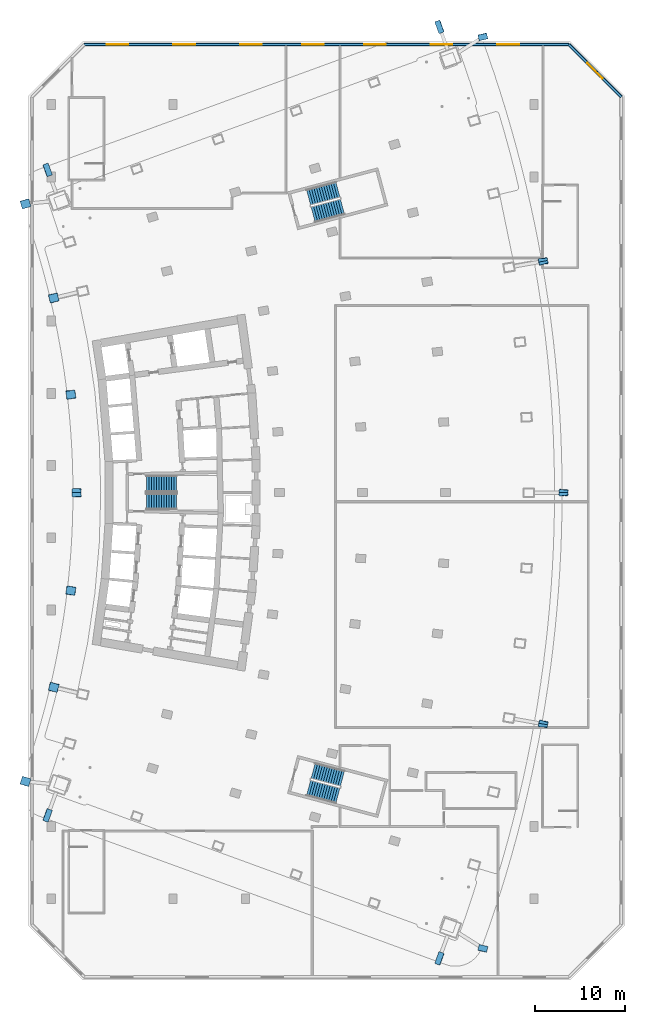
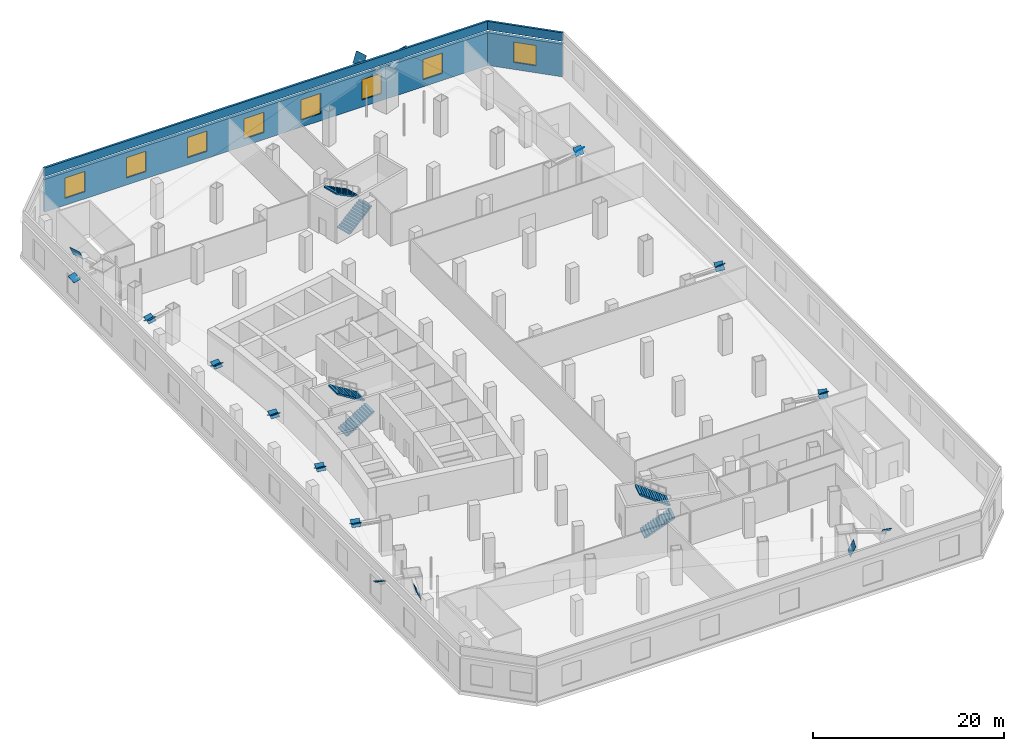
# One storey, part 18 of 19: 24 discrete accessories, 8 windows, 6 stair flights, 4 walls, 8 openings, 3 elements without a shape of their own.
"""IFC4 building model written with IfcOpenShell, lengths in metres."""

from ifc_helpers import new_model, si_unit, direction, frame, frame_2d, origin, origin_2d, place, context, subcontext, project, spatial, polyline, rectangle, outline, extrude, material, layer, layer_set, material_profile, profile_set, type_object, element, fill, aggregate, save


model = new_model("IFC4")

# Units and contexts
model_context = context("Model", 3, precision=1e-05, world=origin(), true_north=direction((0.0, 1.0)))
body_context = subcontext(model_context, "Body", "Model", "MODEL_VIEW")
ifc_project = project(units=[si_unit("LENGTHUNIT", "METRE"), si_unit("AREAUNIT", "SQUARE_METRE"), si_unit("VOLUMEUNIT", "CUBIC_METRE"), si_unit("PLANEANGLEUNIT", "RADIAN"), si_unit("MASSUNIT", "GRAM", prefix="KILO")], contexts=[model_context])

# Site, building, storey
site_placement = place(None, origin())
site = spatial("IfcSite", under=ifc_project, at=site_placement, CompositionType="ELEMENT")
building_placement = place(site_placement, origin())
building = spatial("IfcBuilding", under=site, at=building_placement, Name="Alderwake Tower", CompositionType="ELEMENT")
storey_placement = place(building_placement, frame((0.0, 0.0, 27.5)))
storey = spatial("IfcBuildingStorey", under=building, at=storey_placement, Name="L05", CompositionType="ELEMENT", Elevation=27.5)

# Wall, opening, window
ifc_material_1 = material(Name="Precast concrete C50/60 spandrel panel", Category="concrete")
ifc_layer_1 = layer(ifc_material_1, 0.35009765625)
ifc_layer_set_1 = layer_set([ifc_layer_1], Name="External wall EW4 Precast concrete C50/60 podium")
wall_type_1 = type_object("IfcWallType", Name="External wall EW4 Precast concrete C50/60 podium", PredefinedType="SOLIDWALL", material=ifc_layer_set_1)
wall_1_placement = place(storey_placement, frame((73.64990234375, 104.85498046875, 0.0), z_axis=(0.0, 0.0, 1.0), x_axis=(-0.707091913039, 0.707121649021, 0.0)))
wall_1 = element("IfcWall", 1, at=wall_1_placement, inside=storey, type_object=wall_type_1, Name="External wall 4", PredefinedType="SOLIDWALL", context=body_context, shape_type="SweptSolid", body=[
    extrude(rectangle(XDim=8.210205078125, YDim=0.35009765625, at=frame_2d((4.10498046875, 0.0))), origin(), (0.0, 0.0, 1.0), 4.179931640625),
])
opening_1_placement = place(wall_1_placement, frame((2.9052734375, 0.0, 0.89990234375)))
opening_1 = element("IfcOpeningElement", 2, at=opening_1_placement, cuts=wall_1, Name="Opening W6", PredefinedType="OPENING", context=body_context, shape_type="SweptSolid", body=[
    extrude(rectangle(XDim=2.39990234375, YDim=2.60009765625, at=frame_2d((1.199951171875, 1.300048828125))), frame((0.0, 0.18505859375, 0.0), z_axis=(0.0, -1.0, 0.0), x_axis=(1.0, 0.0, 0.0)), (0.0, 0.0, 1.0), 0.3701171875),
])
ifc_material_2 = material(Name="Bronze tinted glass in aluminium frame", Category="aluminium")
window_type = type_object("IfcWindowType", Name="Window W6 podium", PartitioningType="DOUBLE_PANEL_VERTICAL", PredefinedType="WINDOW", material=ifc_material_2)
window_1_placement = place(opening_1_placement, origin())
window_1 = element("IfcWindow", 3, at=window_1_placement, inside=storey, type_object=window_type, Name="Window W6 podium", OverallHeight=2.60009765625, OverallWidth=2.39990234375, PartitioningType="DOUBLE_PANEL_VERTICAL", PredefinedType="WINDOW", context=body_context, shape_type="SweptSolid", body=[
    extrude(rectangle(XDim=2.39990234375, YDim=2.60009765625, at=frame_2d((1.199951171875, 1.300048828125))), frame((0.0, 0.030029296875, 0.0), z_axis=(0.0, -1.0, 0.0), x_axis=(1.0, 0.0, 0.0)), (0.0, 0.0, 1.0), 0.06005859375),
])
fill(opening_1, window_1)

# Wall, openings, windows
wall_2_placement = place(storey_placement, frame((67.85498046875, 110.64990234375, 0.0), z_axis=(0.0, 0.0, 1.0), x_axis=(-1.0, 0.0, 0.0)))
wall_2 = element("IfcWall", 4, at=wall_2_placement, inside=storey, type_object=wall_type_1, Name="External wall 5", PredefinedType="SOLIDWALL", context=body_context, shape_type="SweptSolid", body=[
    extrude(rectangle(XDim=53.72509765625, YDim=0.35009765625, at=frame_2d((26.862548828125, 0.0))), origin(), (0.0, 0.0, 1.0), 4.179931640625),
])
opening_2_placement = place(wall_2_placement, frame((5.52392578125, 0.0, 0.89990234375)))
opening_2 = element("IfcOpeningElement", 5, at=opening_2_placement, cuts=wall_2, Name="Opening W6", PredefinedType="OPENING", context=body_context, shape_type="SweptSolid", body=[
    extrude(rectangle(XDim=2.39990234375, YDim=2.60009765625, at=frame_2d((1.199951171875, 1.300048828125))), frame((0.0, 0.18505859375, 0.0), z_axis=(0.0, -1.0, 0.0), x_axis=(1.0, 0.0, 0.0)), (0.0, 0.0, 1.0), 0.3701171875),
])
opening_3_placement = place(wall_2_placement, frame((12.904052734375, 0.0, 0.89990234375)))
opening_3 = element("IfcOpeningElement", 6, at=opening_3_placement, cuts=wall_2, Name="Opening W6", PredefinedType="OPENING", context=body_context, shape_type="SweptSolid", body=[
    extrude(rectangle(XDim=2.39990234375, YDim=2.60009765625, at=frame_2d((1.199951171875, 1.300048828125))), frame((0.0, 0.18505859375, 0.0), z_axis=(0.0, -1.0, 0.0), x_axis=(1.0, 0.0, 0.0)), (0.0, 0.0, 1.0), 0.3701171875),
])
opening_4_placement = place(wall_2_placement, frame((20.283935546875, 0.0, 0.89990234375)))
opening_4 = element("IfcOpeningElement", 7, at=opening_4_placement, cuts=wall_2, Name="Opening W6", PredefinedType="OPENING", context=body_context, shape_type="SweptSolid", body=[
    extrude(rectangle(XDim=2.39990234375, YDim=2.60009765625, at=frame_2d((1.199951171875, 1.300048828125))), frame((0.0, 0.18505859375, 0.0), z_axis=(0.0, -1.0, 0.0), x_axis=(1.0, 0.0, 0.0)), (0.0, 0.0, 1.0), 0.3701171875),
])
opening_5_placement = place(wall_2_placement, frame((27.154052734375, 0.0, 0.89990234375)))
opening_5 = element("IfcOpeningElement", 8, at=opening_5_placement, cuts=wall_2, Name="Opening W6", PredefinedType="OPENING", context=body_context, shape_type="SweptSolid", body=[
    extrude(rectangle(XDim=2.39990234375, YDim=2.60009765625, at=frame_2d((1.199951171875, 1.300048828125))), frame((0.0, 0.18505859375, 0.0), z_axis=(0.0, -1.0, 0.0), x_axis=(1.0, 0.0, 0.0)), (0.0, 0.0, 1.0), 0.3701171875),
])
opening_6_placement = place(wall_2_placement, frame((34.032470703125, 0.0, 0.89990234375)))
opening_6 = element("IfcOpeningElement", 9, at=opening_6_placement, cuts=wall_2, Name="Opening W6", PredefinedType="OPENING", context=body_context, shape_type="SweptSolid", body=[
    extrude(rectangle(XDim=2.39990234375, YDim=2.60009765625, at=frame_2d((1.199951171875, 1.300048828125))), frame((0.0, 0.18505859375, 0.0), z_axis=(0.0, -1.0, 0.0), x_axis=(1.0, 0.0, 0.0)), (0.0, 0.0, 1.0), 0.3701171875),
])
opening_7_placement = place(wall_2_placement, frame((41.429443359375, 0.0, 0.89990234375)))
opening_7 = element("IfcOpeningElement", 10, at=opening_7_placement, cuts=wall_2, Name="Opening W6", PredefinedType="OPENING", context=body_context, shape_type="SweptSolid", body=[
    extrude(rectangle(XDim=2.39990234375, YDim=2.60009765625, at=frame_2d((1.199951171875, 1.300048828125))), frame((0.0, 0.18505859375, 0.0), z_axis=(0.0, -1.0, 0.0), x_axis=(1.0, 0.0, 0.0)), (0.0, 0.0, 1.0), 0.3701171875),
])
opening_8_placement = place(wall_2_placement, frame((48.826416015625, 0.0, 0.89990234375)))
opening_8 = element("IfcOpeningElement", 11, at=opening_8_placement, cuts=wall_2, Name="Opening W6", PredefinedType="OPENING", context=body_context, shape_type="SweptSolid", body=[
    extrude(rectangle(XDim=2.39990234375, YDim=2.60009765625, at=frame_2d((1.199951171875, 1.300048828125))), frame((0.0, 0.18505859375, 0.0), z_axis=(0.0, -1.0, 0.0), x_axis=(1.0, 0.0, 0.0)), (0.0, 0.0, 1.0), 0.3701171875),
])
window_2_placement = place(opening_2_placement, origin())
window_2 = element("IfcWindow", 12, at=window_2_placement, inside=storey, type_object=window_type, Name="Window W6 podium", OverallHeight=2.60009765625, OverallWidth=2.39990234375, PartitioningType="DOUBLE_PANEL_VERTICAL", PredefinedType="WINDOW", context=body_context, shape_type="SweptSolid", body=[
    extrude(rectangle(XDim=2.39990234375, YDim=2.60009765625, at=frame_2d((1.199951171875, 1.300048828125))), frame((0.0, 0.030029296875, 0.0), z_axis=(0.0, -1.0, 0.0), x_axis=(1.0, 0.0, 0.0)), (0.0, 0.0, 1.0), 0.06005859375),
])
fill(opening_2, window_2)
window_3_placement = place(opening_3_placement, origin())
window_3 = element("IfcWindow", 13, at=window_3_placement, inside=storey, type_object=window_type, Name="Window W6 podium", OverallHeight=2.60009765625, OverallWidth=2.39990234375, PartitioningType="DOUBLE_PANEL_VERTICAL", PredefinedType="WINDOW", context=body_context, shape_type="SweptSolid", body=[
    extrude(rectangle(XDim=2.39990234375, YDim=2.60009765625, at=frame_2d((1.199951171875, 1.300048828125))), frame((0.0, 0.030029296875, 0.0), z_axis=(0.0, -1.0, 0.0), x_axis=(1.0, 0.0, 0.0)), (0.0, 0.0, 1.0), 0.06005859375),
])
fill(opening_3, window_3)
window_4_placement = place(opening_4_placement, origin())
window_4 = element("IfcWindow", 14, at=window_4_placement, inside=storey, type_object=window_type, Name="Window W6 podium", OverallHeight=2.60009765625, OverallWidth=2.39990234375, PartitioningType="DOUBLE_PANEL_VERTICAL", PredefinedType="WINDOW", context=body_context, shape_type="SweptSolid", body=[
    extrude(rectangle(XDim=2.39990234375, YDim=2.60009765625, at=frame_2d((1.199951171875, 1.300048828125))), frame((0.0, 0.030029296875, 0.0), z_axis=(0.0, -1.0, 0.0), x_axis=(1.0, 0.0, 0.0)), (0.0, 0.0, 1.0), 0.06005859375),
])
fill(opening_4, window_4)
window_5_placement = place(opening_5_placement, origin())
window_5 = element("IfcWindow", 15, at=window_5_placement, inside=storey, type_object=window_type, Name="Window W6 podium", OverallHeight=2.60009765625, OverallWidth=2.39990234375, PartitioningType="DOUBLE_PANEL_VERTICAL", PredefinedType="WINDOW", context=body_context, shape_type="SweptSolid", body=[
    extrude(rectangle(XDim=2.39990234375, YDim=2.60009765625, at=frame_2d((1.199951171875, 1.300048828125))), frame((0.0, 0.030029296875, 0.0), z_axis=(0.0, -1.0, 0.0), x_axis=(1.0, 0.0, 0.0)), (0.0, 0.0, 1.0), 0.06005859375),
])
fill(opening_5, window_5)
window_6_placement = place(opening_6_placement, origin())
window_6 = element("IfcWindow", 16, at=window_6_placement, inside=storey, type_object=window_type, Name="Window W6 podium", OverallHeight=2.60009765625, OverallWidth=2.39990234375, PartitioningType="DOUBLE_PANEL_VERTICAL", PredefinedType="WINDOW", context=body_context, shape_type="SweptSolid", body=[
    extrude(rectangle(XDim=2.39990234375, YDim=2.60009765625, at=frame_2d((1.199951171875, 1.300048828125))), frame((0.0, 0.030029296875, 0.0), z_axis=(0.0, -1.0, 0.0), x_axis=(1.0, 0.0, 0.0)), (0.0, 0.0, 1.0), 0.06005859375),
])
fill(opening_6, window_6)
window_7_placement = place(opening_7_placement, origin())
window_7 = element("IfcWindow", 17, at=window_7_placement, inside=storey, type_object=window_type, Name="Window W6 podium", OverallHeight=2.60009765625, OverallWidth=2.39990234375, PartitioningType="DOUBLE_PANEL_VERTICAL", PredefinedType="WINDOW", context=body_context, shape_type="SweptSolid", body=[
    extrude(rectangle(XDim=2.39990234375, YDim=2.60009765625, at=frame_2d((1.199951171875, 1.300048828125))), frame((0.0, 0.030029296875, 0.0), z_axis=(0.0, -1.0, 0.0), x_axis=(1.0, 0.0, 0.0)), (0.0, 0.0, 1.0), 0.06005859375),
])
fill(opening_7, window_7)
window_8_placement = place(opening_8_placement, origin())
window_8 = element("IfcWindow", 18, at=window_8_placement, inside=storey, type_object=window_type, Name="Window W6 podium", OverallHeight=2.60009765625, OverallWidth=2.39990234375, PartitioningType="DOUBLE_PANEL_VERTICAL", PredefinedType="WINDOW", context=body_context, shape_type="SweptSolid", body=[
    extrude(rectangle(XDim=2.39990234375, YDim=2.60009765625, at=frame_2d((1.199951171875, 1.300048828125))), frame((0.0, 0.030029296875, 0.0), z_axis=(0.0, -1.0, 0.0), x_axis=(1.0, 0.0, 0.0)), (0.0, 0.0, 1.0), 0.06005859375),
])
fill(opening_8, window_8)

# Walls
ifc_material_3 = material(Name="Precast concrete C50/60 spandrel panel", Category="concrete")
ifc_layer_2 = layer(ifc_material_3, 0.25)
ifc_layer_set_2 = layer_set([ifc_layer_2], Name="Roof parapet PA1 Precast concrete C50/60")
wall_type_2 = type_object("IfcWallType", Name="Roof parapet PA1 Precast concrete C50/60", PredefinedType="PARAPET", material=ifc_layer_set_2)
wall_3_placement = place(storey_placement, frame((73.64990234375, 104.85498046875, 4.5), z_axis=(0.0, 0.0, 1.0), x_axis=(-0.707091913039, 0.707121649021, 0.0)))
element("IfcWall", 19, at=wall_3_placement, inside=storey, type_object=wall_type_2, Name="External wall 12", PredefinedType="PARAPET", context=body_context, shape_type="SweptSolid", body=[
    extrude(rectangle(XDim=8.210205078125, YDim=0.25, at=frame_2d((4.10498046875, 0.0))), origin(), (0.0, 0.0, 1.0), 1.10009765625),
])
wall_4_placement = place(storey_placement, frame((67.85498046875, 110.64990234375, 4.5), z_axis=(0.0, 0.0, 1.0), x_axis=(-1.0, 0.0, 0.0)))
element("IfcWall", 20, at=wall_4_placement, inside=storey, type_object=wall_type_2, Name="External wall 13", PredefinedType="PARAPET", context=body_context, shape_type="SweptSolid", body=[
    extrude(rectangle(XDim=53.72509765625, YDim=0.25, at=frame_2d((26.862548828125, 0.0))), origin(), (0.0, 0.0, 1.0), 1.10009765625),
])

# Stair, stair flights
ifc_material_4 = material(Name="Concrete C40/50", Category="concrete")
stair_type = type_object("IfcStairType", Name="Core exit stair", PredefinedType="HALF_TURN_STAIR", material=ifc_material_4)
stair_1_placement = place(storey_placement, origin())
stair_1 = element("IfcStair", 21, at=stair_1_placement, inside=storey, type_object=stair_type, Name="L05 Exit Stair B", PredefinedType="HALF_TURN_STAIR")
ifc_material_5 = material(Name="Concrete C40/50", Category="concrete")
ifc_layer_3 = layer(ifc_material_5, 0.14990234375)
ifc_layer_set_3 = layer_set([ifc_layer_3], Name="Core stair flight")
stair_flight_type = type_object("IfcStairFlightType", Name="Core stair flight", PredefinedType="STRAIGHT", material=ifc_layer_set_3)
stair_flight_1_placement = place(storey_placement, frame((21.0400390625, 60.02490234375, 0.0), z_axis=(0.0, 0.0, 1.0), x_axis=(1.0, 0.0, 0.0)))
stair_flight_1 = element("IfcStairFlight", 22, at=stair_flight_1_placement, type_object=stair_flight_type, Name="ST-B flight 1", NumberOfRisers=13, NumberOfTreads=12, PredefinedType="STRAIGHT", RiserHeight=0.173076923, TreadLength=0.28, context=body_context, shape_type="SweptSolid", body=[
    extrude(outline(polyline([(0.0, 0.0), (0.0, 0.173095703125), (0.280029296875, 0.173095703125), (0.280029296875, 0.34619140625), (0.56005859375, 0.34619140625), (0.56005859375, 0.519287109375), (0.840087890625, 0.519287109375), (0.840087890625, 0.6923828125), (1.1201171875, 0.6923828125), (1.1201171875, 0.865478515625), (1.39990234375, 0.865478515625), (1.39990234375, 1.03857421875), (1.679931640625, 1.03857421875), (1.679931640625, 1.21142578125), (1.9599609375, 1.21142578125), (1.9599609375, 1.384521484375), (2.239990234375, 1.384521484375), (2.239990234375, 1.5576171875), (2.52001953125, 1.5576171875), (2.52001953125, 1.730712890625), (2.800048828125, 1.730712890625), (2.800048828125, 1.90380859375), (3.080078125, 1.90380859375), (3.080078125, 2.076904296875), (3.360107421875, 2.076904296875), (3.360107421875, 2.25), (3.360107421875, 1.900634765625), (0.28515625, 0.0), (0.0, 0.0)])), frame((0.0, 0.89990234375, 0.0), z_axis=(0.0, -1.0, 0.0), x_axis=(1.0, 0.0, 0.0)), (0.0, 0.0, 1.0), 1.800048828125),
])
stair_flight_2_placement = place(storey_placement, frame((24.39990234375, 61.97509765625, 2.25), z_axis=(0.0, 0.0, 1.0), x_axis=(-1.0, 0.0, 0.0)))
stair_flight_2 = element("IfcStairFlight", 23, at=stair_flight_2_placement, type_object=stair_flight_type, Name="ST-B flight 2", NumberOfRisers=13, NumberOfTreads=12, PredefinedType="STRAIGHT", RiserHeight=0.173076923, TreadLength=0.28, context=body_context, shape_type="SweptSolid", body=[
    extrude(outline(polyline([(0.0, 0.0), (0.0, 0.173095703125), (0.280029296875, 0.173095703125), (0.280029296875, 0.34619140625), (0.56005859375, 0.34619140625), (0.56005859375, 0.519287109375), (0.840087890625, 0.519287109375), (0.840087890625, 0.6923828125), (1.1201171875, 0.6923828125), (1.1201171875, 0.865478515625), (1.39990234375, 0.865478515625), (1.39990234375, 1.03857421875), (1.679931640625, 1.03857421875), (1.679931640625, 1.21142578125), (1.9599609375, 1.21142578125), (1.9599609375, 1.384521484375), (2.239990234375, 1.384521484375), (2.239990234375, 1.5576171875), (2.52001953125, 1.5576171875), (2.52001953125, 1.730712890625), (2.800048828125, 1.730712890625), (2.800048828125, 1.90380859375), (3.080078125, 1.90380859375), (3.080078125, 2.076904296875), (3.360107421875, 2.076904296875), (3.360107421875, 2.25), (3.360107421875, 1.900634765625), (0.28515625, 0.0), (0.0, 0.0)])), frame((0.0, 0.89990234375, 0.0), z_axis=(0.0, -1.0, 0.0), x_axis=(1.0, 0.0, 0.0)), (0.0, 0.0, 1.0), 1.800048828125),
])
aggregate(stair_1, [stair_flight_1, stair_flight_2])

stair_2_placement = place(storey_placement, origin())
stair_2 = element("IfcStair", 24, at=stair_2_placement, inside=storey, type_object=stair_type, Name="L05 Exit Stair A", PredefinedType="HALF_TURN_STAIR")
stair_flight_3_placement = place(storey_placement, frame((39.512939453125, 91.823974609375, 0.0), z_axis=(0.0, 0.0, 1.0), x_axis=(0.966309627437, 0.257382407951, 0.0)))
stair_flight_3 = element("IfcStairFlight", 25, at=stair_flight_3_placement, type_object=stair_flight_type, Name="ST-A flight 1", NumberOfRisers=13, NumberOfTreads=12, PredefinedType="STRAIGHT", RiserHeight=0.173076923, TreadLength=0.28, context=body_context, shape_type="SweptSolid", body=[
    extrude(outline(polyline([(0.0, 0.0), (0.0, 0.173095703125), (0.280029296875, 0.173095703125), (0.280029296875, 0.34619140625), (0.56005859375, 0.34619140625), (0.56005859375, 0.519287109375), (0.840087890625, 0.519287109375), (0.840087890625, 0.6923828125), (1.1201171875, 0.6923828125), (1.1201171875, 0.865478515625), (1.39990234375, 0.865478515625), (1.39990234375, 1.03857421875), (1.679931640625, 1.03857421875), (1.679931640625, 1.21142578125), (1.9599609375, 1.21142578125), (1.9599609375, 1.384521484375), (2.239990234375, 1.384521484375), (2.239990234375, 1.5576171875), (2.52001953125, 1.5576171875), (2.52001953125, 1.730712890625), (2.800048828125, 1.730712890625), (2.800048828125, 1.90380859375), (3.080078125, 1.90380859375), (3.080078125, 2.076904296875), (3.360107421875, 2.076904296875), (3.360107421875, 2.25), (3.360107421875, 1.900634765625), (0.28515625, 0.0), (0.0, 0.0)])), frame((0.0, 0.89990234375, 0.0), z_axis=(0.0, -1.0, 0.0), x_axis=(1.0, 0.0, 0.0)), (0.0, 0.0, 1.0), 1.800048828125),
])
stair_flight_4_placement = place(storey_placement, frame((42.2578125, 94.572998046875, 2.25), z_axis=(0.0, 0.0, 1.0), x_axis=(-0.966309627437, -0.257382407951, 0.0)))
stair_flight_4 = element("IfcStairFlight", 26, at=stair_flight_4_placement, type_object=stair_flight_type, Name="ST-A flight 2", NumberOfRisers=13, NumberOfTreads=12, PredefinedType="STRAIGHT", RiserHeight=0.173076923, TreadLength=0.28, context=body_context, shape_type="SweptSolid", body=[
    extrude(outline(polyline([(0.0, 0.0), (0.0, 0.173095703125), (0.280029296875, 0.173095703125), (0.280029296875, 0.34619140625), (0.56005859375, 0.34619140625), (0.56005859375, 0.519287109375), (0.840087890625, 0.519287109375), (0.840087890625, 0.6923828125), (1.1201171875, 0.6923828125), (1.1201171875, 0.865478515625), (1.39990234375, 0.865478515625), (1.39990234375, 1.03857421875), (1.679931640625, 1.03857421875), (1.679931640625, 1.21142578125), (1.9599609375, 1.21142578125), (1.9599609375, 1.384521484375), (2.239990234375, 1.384521484375), (2.239990234375, 1.5576171875), (2.52001953125, 1.5576171875), (2.52001953125, 1.730712890625), (2.800048828125, 1.730712890625), (2.800048828125, 1.90380859375), (3.080078125, 1.90380859375), (3.080078125, 2.076904296875), (3.360107421875, 2.076904296875), (3.360107421875, 2.25), (3.360107421875, 1.900634765625), (0.28515625, 0.0), (0.0, 0.0)])), frame((0.0, 0.89990234375, 0.0), z_axis=(0.0, -1.0, 0.0), x_axis=(1.0, 0.0, 0.0)), (0.0, 0.0, 1.0), 1.800048828125),
])
aggregate(stair_2, [stair_flight_3, stair_flight_4])

stair_3_placement = place(storey_placement, origin())
stair_3 = element("IfcStair", 27, at=stair_3_placement, inside=storey, type_object=stair_type, Name="L05 Exit Stair C", PredefinedType="HALF_TURN_STAIR")
stair_flight_5_placement = place(storey_placement, frame((39.010986328125, 28.291748046875, 0.0), z_axis=(0.0, 0.0, 1.0), x_axis=(0.966309627437, -0.257382407951, 0.0)))
stair_flight_5 = element("IfcStairFlight", 28, at=stair_flight_5_placement, type_object=stair_flight_type, Name="ST-C flight 1", NumberOfRisers=13, NumberOfTreads=12, PredefinedType="STRAIGHT", RiserHeight=0.173076923, TreadLength=0.28, context=body_context, shape_type="SweptSolid", body=[
    extrude(outline(polyline([(0.0, 0.0), (0.0, 0.173095703125), (0.280029296875, 0.173095703125), (0.280029296875, 0.34619140625), (0.56005859375, 0.34619140625), (0.56005859375, 0.519287109375), (0.840087890625, 0.519287109375), (0.840087890625, 0.6923828125), (1.1201171875, 0.6923828125), (1.1201171875, 0.865478515625), (1.39990234375, 0.865478515625), (1.39990234375, 1.03857421875), (1.679931640625, 1.03857421875), (1.679931640625, 1.21142578125), (1.9599609375, 1.21142578125), (1.9599609375, 1.384521484375), (2.239990234375, 1.384521484375), (2.239990234375, 1.5576171875), (2.52001953125, 1.5576171875), (2.52001953125, 1.730712890625), (2.800048828125, 1.730712890625), (2.800048828125, 1.90380859375), (3.080078125, 1.90380859375), (3.080078125, 2.076904296875), (3.360107421875, 2.076904296875), (3.360107421875, 2.25), (3.360107421875, 1.900634765625), (0.28515625, 0.0), (0.0, 0.0)])), frame((0.0, 0.89990234375, 0.0), z_axis=(0.0, -1.0, 0.0), x_axis=(1.0, 0.0, 0.0)), (0.0, 0.0, 1.0), 1.800048828125),
])
stair_flight_6_placement = place(storey_placement, frame((42.759765625, 29.311279296875, 2.25), z_axis=(0.0, 0.0, 1.0), x_axis=(-0.966309627437, 0.257382407951, 0.0)))
stair_flight_6 = element("IfcStairFlight", 29, at=stair_flight_6_placement, type_object=stair_flight_type, Name="ST-C flight 2", NumberOfRisers=13, NumberOfTreads=12, PredefinedType="STRAIGHT", RiserHeight=0.173076923, TreadLength=0.28, context=body_context, shape_type="SweptSolid", body=[
    extrude(outline(polyline([(0.0, 0.0), (0.0, 0.173095703125), (0.280029296875, 0.173095703125), (0.280029296875, 0.34619140625), (0.56005859375, 0.34619140625), (0.56005859375, 0.519287109375), (0.840087890625, 0.519287109375), (0.840087890625, 0.6923828125), (1.1201171875, 0.6923828125), (1.1201171875, 0.865478515625), (1.39990234375, 0.865478515625), (1.39990234375, 1.03857421875), (1.679931640625, 1.03857421875), (1.679931640625, 1.21142578125), (1.9599609375, 1.21142578125), (1.9599609375, 1.384521484375), (2.239990234375, 1.384521484375), (2.239990234375, 1.5576171875), (2.52001953125, 1.5576171875), (2.52001953125, 1.730712890625), (2.800048828125, 1.730712890625), (2.800048828125, 1.90380859375), (3.080078125, 1.90380859375), (3.080078125, 2.076904296875), (3.360107421875, 2.076904296875), (3.360107421875, 2.25), (3.360107421875, 1.900634765625), (0.28515625, 0.0), (0.0, 0.0)])), frame((0.0, 0.89990234375, 0.0), z_axis=(0.0, -1.0, 0.0), x_axis=(1.0, 0.0, 0.0)), (0.0, 0.0, 1.0), 1.800048828125),
])
aggregate(stair_3, [stair_flight_5, stair_flight_6])

# Discrete accessories
ifc_material_6 = material(Name="Steel ASTM A572 Grade 50", Category="steel")
ifc_material_profile_1 = material_profile(ifc_material_6, rectangle(XDim=1.0, YDim=1.0, at=origin_2d()), Name="BOX 1000X1000X60 cap")
ifc_profile_set_1 = profile_set([ifc_material_profile_1], Name="Steel ASTM A572 Grade 50")
discrete_accessory_type_1 = type_object("IfcDiscreteAccessoryType", Name="End cap plate BOX 1000X1000X60", PredefinedType="USERDEFINED", material=ifc_profile_set_1)
discrete_accessory_1_placement = place(storey_placement, frame((58.32373046875, 10.5078125, 4.5), z_axis=(-0.17167614664, -0.743929968771, -0.645829313549), x_axis=(0.974391195695, -0.224859506699, 0.0)))
element("IfcDiscreteAccessory", 30, at=discrete_accessory_1_placement, inside=storey, type_object=discrete_accessory_type_1, Name="End cap BRF1.1.1A S", ObjectType="END CAP", PredefinedType="USERDEFINED", context=body_context, shape_type="SweptSolid", body=[
    extrude(rectangle(XDim=1.0, YDim=1.0, at=origin_2d()), origin(), (0.0, 0.0, 1.0), 0.02978515625),
])
discrete_accessory_2_placement = place(storey_placement, frame((65.002197265625, 35.3623046875, 4.5), z_axis=(0.218632440989, 0.736872301111, -0.639702327338), x_axis=(-0.958691764912, 0.284447007172, 0.0)))
element("IfcDiscreteAccessory", 31, at=discrete_accessory_2_placement, inside=storey, type_object=discrete_accessory_type_1, Name="End cap BRF1.1.1B1 S", ObjectType="END CAP", PredefinedType="USERDEFINED", context=body_context, shape_type="SweptSolid", body=[
    extrude(rectangle(XDim=1.0, YDim=1.0, at=origin_2d()), origin(), (0.0, 0.0, 1.0), 0.030029296875),
])
discrete_accessory_3_placement = place(storey_placement, frame((65.002197265625, 35.3623046875, 4.5), z_axis=(-0.040940993327, -0.761502475889, -0.646867694572), x_axis=(0.998557871823, -0.053685907087, 0.0)))
element("IfcDiscreteAccessory", 32, at=discrete_accessory_3_placement, inside=storey, type_object=discrete_accessory_type_1, Name="End cap BRF1.1.4A S", ObjectType="END CAP", PredefinedType="USERDEFINED", context=body_context, shape_type="SweptSolid", body=[
    extrude(rectangle(XDim=1.0, YDim=1.0, at=origin_2d()), origin(), (0.0, 0.0, 1.0), 0.02978515625),
])
for number, where, z_axis, x_axis, name in (
    (33, (67.251220703125, 61.0, 4.5), (0.089781709975, 0.759063547969, -0.644795917092), (-0.993077521975, 0.117460782169, 0.0), "End cap BRF1.1.4B1 S"),
    (34, (67.251220703125, 61.0, 4.5), (0.089781709975, -0.759063547969, -0.644795917092), (0.993077521975, 0.117460782169, 0.0), "End cap BRF1.1.7A S"),
):
    element("IfcDiscreteAccessory", number, at=place(storey_placement, frame(where, z_axis=z_axis, x_axis=x_axis)), inside=storey, type_object=discrete_accessory_type_1, Name=name, ObjectType="END CAP", PredefinedType="USERDEFINED", context=body_context, shape_type="SweptSolid", body=[
        extrude(rectangle(XDim=1.0, YDim=1.0, at=origin_2d()), origin(), (0.0, 0.0, 1.0), 0.030029296875),
    ])
discrete_accessory_4_placement = place(storey_placement, frame((65.002197265625, 86.6376953125, 4.5), z_axis=(-0.040940993327, 0.761502475889, -0.646867694572), x_axis=(-0.998557871823, -0.053685907087, 0.0)))
element("IfcDiscreteAccessory", 35, at=discrete_accessory_4_placement, inside=storey, type_object=discrete_accessory_type_1, Name="End cap BRF1.1.7B1 S", ObjectType="END CAP", PredefinedType="USERDEFINED", context=body_context, shape_type="SweptSolid", body=[
    extrude(rectangle(XDim=1.0, YDim=1.0, at=origin_2d()), origin(), (0.0, 0.0, 1.0), 0.02978515625),
])
discrete_accessory_5_placement = place(storey_placement, frame((65.002197265625, 86.6376953125, 4.5), z_axis=(0.218632440989, -0.736872301111, -0.639702327338), x_axis=(0.958691764912, 0.284447007172, 0.0)))
element("IfcDiscreteAccessory", 36, at=discrete_accessory_5_placement, inside=storey, type_object=discrete_accessory_type_1, Name="End cap BRF1.1.10A S", ObjectType="END CAP", PredefinedType="USERDEFINED", context=body_context, shape_type="SweptSolid", body=[
    extrude(rectangle(XDim=1.0, YDim=1.0, at=origin_2d()), origin(), (0.0, 0.0, 1.0), 0.030029296875),
])
discrete_accessory_6_placement = place(storey_placement, frame((58.32373046875, 111.4921875, 4.5), z_axis=(-0.17167614664, 0.743929968771, -0.645829313549), x_axis=(-0.974391195695, -0.224859506699, 0.0)))
element("IfcDiscreteAccessory", 37, at=discrete_accessory_6_placement, inside=storey, type_object=discrete_accessory_type_1, Name="End cap BRF1.1.10B1 S", ObjectType="END CAP", PredefinedType="USERDEFINED", context=body_context, shape_type="SweptSolid", body=[
    extrude(rectangle(XDim=1.0, YDim=1.0, at=origin_2d()), origin(), (0.0, 0.0, 1.0), 0.02978515625),
])
for number, where, z_axis, x_axis, name in (
    (38, (7.6435546875, 29.007568359375, 4.5), (-0.129926809902, -0.430382557802, -0.893246818079), (0.957327710787, -0.289004591936, 0.0), "End cap BRR1.1.1A S"),
    (39, (10.771728515625, 39.427001953125, 4.5), (0.129926809902, 0.430382557802, -0.893246818079), (-0.957327710787, 0.289004591936, 0.0), "End cap BRR1.1.1B1 S"),
    (40, (10.771728515625, 39.427001953125, 4.5), (-0.08133576549, -0.439213133645, -0.894693420388), (0.983282004984, -0.182089260182, 0.0), "End cap BRR1.1.3A S"),
    (41, (12.665771484375, 50.1396484375, 4.5), (0.081044089847, 0.44574249416, -0.89148498832), (-0.9838699101, 0.1788854382, 0.0), "End cap BRR1.1.3B1 S"),
    (42, (12.665771484375, 50.1396484375, 4.5), (-0.024386214522, -0.447080599566, -0.894161199132), (0.998515707931, -0.05446449316, 0.0), "End cap BRR1.1.5A S"),
    (43, (13.300048828125, 61.0, 4.5), (0.024386214522, 0.447080599566, -0.894161199132), (-0.998515707931, 0.05446449316, 0.0), "End cap BRR1.1.5B1 S"),
    (44, (13.300048828125, 61.0, 4.5), (0.024386214522, -0.447080599566, -0.894161199132), (0.998515707931, 0.05446449316, 0.0), "End cap BRR1.1.7A S"),
    (45, (12.665771484375, 71.8603515625, 4.5), (-0.024386214522, 0.447080599566, -0.894161199132), (-0.998515707931, -0.05446449316, 0.0), "End cap BRR1.1.7B1 S"),
    (46, (12.665771484375, 71.8603515625, 4.5), (0.081044089847, -0.44574249416, -0.89148498832), (0.9838699101, 0.1788854382, 0.0), "End cap BRR1.1.9A S"),
    (47, (10.771728515625, 82.572998046875, 4.5), (-0.08133576549, 0.439213133645, -0.894693420388), (-0.983282004984, -0.182089260182, 0.0), "End cap BRR1.1.9B1 S"),
    (48, (10.771728515625, 82.572998046875, 4.5), (0.129926809902, -0.430382557802, -0.893246818079), (0.957327710787, 0.289004591936, 0.0), "End cap BRR1.1.11A S"),
    (49, (7.6435546875, 92.992431640625, 4.5), (-0.129926809902, 0.430382557802, -0.893246818079), (-0.957327710787, -0.289004591936, 0.0), "End cap BRR1.1.11B1 S"),
):
    element("IfcDiscreteAccessory", number, at=place(storey_placement, frame(where, z_axis=z_axis, x_axis=x_axis)), inside=storey, type_object=discrete_accessory_type_1, Name=name, ObjectType="END CAP", PredefinedType="USERDEFINED", context=body_context, shape_type="SweptSolid", body=[
        extrude(rectangle(XDim=1.0, YDim=1.0, at=origin_2d()), origin(), (0.0, 0.0, 1.0), 0.030029296875),
    ])
ifc_material_7 = material(Name="Steel ASTM A572 Grade 50", Category="steel")
ifc_material_profile_2 = material_profile(ifc_material_7, rectangle(XDim=1.39990234375, YDim=1.39990234375, at=origin_2d()), Name="BOX 1400X1400X80 cap")
ifc_profile_set_2 = profile_set([ifc_material_profile_2], Name="Steel ASTM A572 Grade 50")
discrete_accessory_type_2 = type_object("IfcDiscreteAccessoryType", Name="End cap plate BOX 1400X1400X80", PredefinedType="USERDEFINED", material=ifc_profile_set_2)
for number, where, z_axis, x_axis, name in (
    (50, (10.099365234375, 25.23681640625, 4.5), (-0.847210096674, 0.309557535323, -0.431751299267), (-0.343192952924, -0.939264923791, 0.0), "End cap BRS1.1.0A S"),
    (51, (53.498291015625, 9.39501953125, 4.5), (0.852419880887, -0.308494814035, -0.422150798154), (0.340304572201, 0.940315265291, 0.0), "End cap BRS1.1.0B1 S"),
    (52, (10.099365234375, 96.76318359375, 4.5), (-0.847210096674, -0.309557535323, -0.431751299267), (0.343192952924, -0.939264923791, 0.0), "End cap BRN1.1.0A S"),
    (53, (53.498291015625, 112.60498046875, 4.5), (0.852419880887, 0.308494814035, -0.422150798154), (-0.340304572201, 0.940315265291, 0.0), "End cap BRN1.1.0B1 S"),
):
    element("IfcDiscreteAccessory", number, at=place(storey_placement, frame(where, z_axis=z_axis, x_axis=x_axis)), inside=storey, type_object=discrete_accessory_type_2, Name=name, ObjectType="END CAP", PredefinedType="USERDEFINED", context=body_context, shape_type="SweptSolid", body=[
        extrude(rectangle(XDim=1.39990234375, YDim=1.39990234375, at=origin_2d()), origin(), (0.0, 0.0, 1.0), 0.030029296875),
    ])

save(model, "model.ifc")
